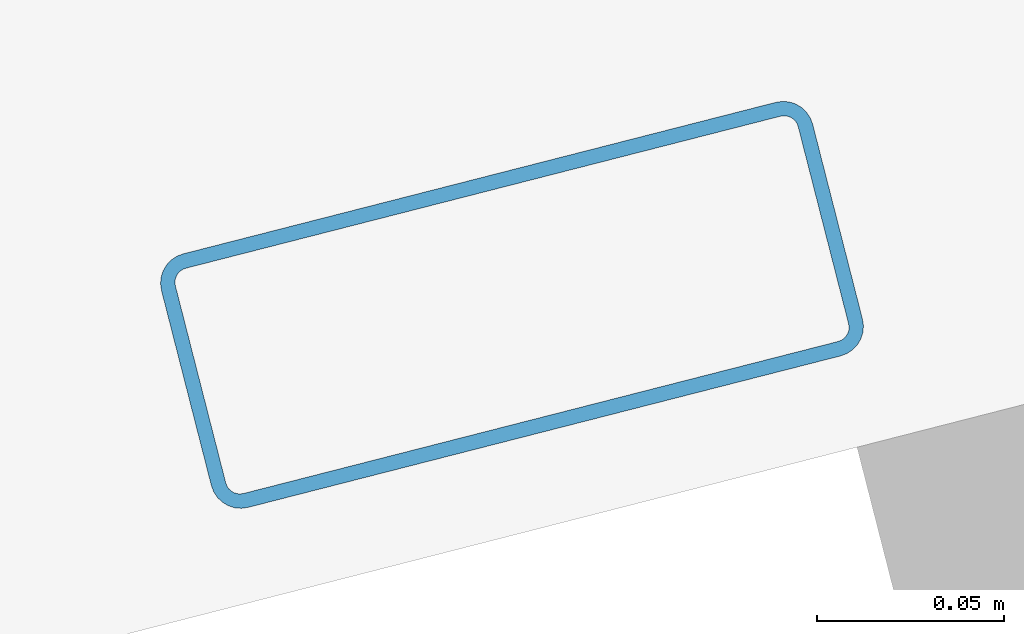
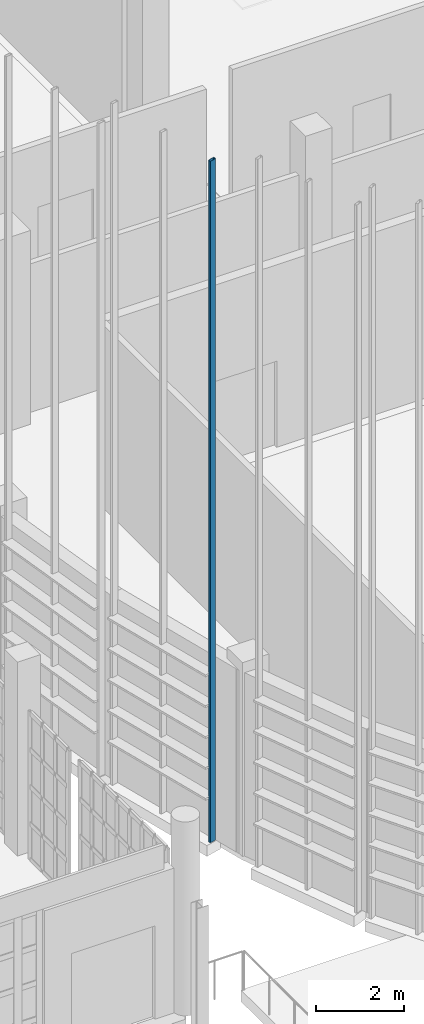
# One storey, part 169 of 372: 1 member.
"""IFC4 building model written with IfcOpenShell, lengths in metres."""

from ifc_helpers import new_model, si_unit, direction, frame, origin, origin_2d, place, context, subcontext, project, spatial, hollow_rectangle, extrude, material, material_profile, profile_set, type_object, element, save


model = new_model("IFC4")

# Units and contexts
model_context = context("Model", 3, precision=1e-05, world=origin(), true_north=direction((0.0, 1.0)))
body_context = subcontext(model_context, "Body", "Model", "MODEL_VIEW")
ifc_project = project(units=[si_unit("LENGTHUNIT", "METRE"), si_unit("AREAUNIT", "SQUARE_METRE"), si_unit("VOLUMEUNIT", "CUBIC_METRE"), si_unit("PLANEANGLEUNIT", "RADIAN"), si_unit("MASSUNIT", "GRAM", prefix="KILO")], contexts=[model_context])

# Site, building, storey
site_placement = place(None, origin())
site = spatial("IfcSite", under=ifc_project, at=site_placement, CompositionType="ELEMENT")
building_placement = place(site_placement, origin())
building = spatial("IfcBuilding", under=site, at=building_placement, Name="Kaelora Sail Theatre", CompositionType="ELEMENT")
storey_placement = place(building_placement, origin())
storey = spatial("IfcBuildingStorey", under=building, at=storey_placement, Name="L00", CompositionType="ELEMENT", Elevation=0.0)

# Member
ifc_material = material(Name="Anodised aluminium 6063-T6", Category="aluminium")
ifc_material_profile = material_profile(ifc_material, hollow_rectangle(XDim=0.070068359375, YDim=0.179931640625, WallThickness=0.00390625, InnerFilletRadius=0.00390625, OuterFilletRadius=0.008056640625, at=origin_2d()), Name="ALU-MULL 70x180x4")
ifc_profile_set = profile_set([ifc_material_profile], Name="Anodised aluminium 6063-T6")
member_type = type_object("IfcMemberType", Name="ARC-MEM-PST-160", PredefinedType="POST", material=ifc_profile_set)
member_placement = place(storey_placement, frame((78.2470703125, 44.150634765625, 0.0), z_axis=(0.0, 0.0, 1.0), x_axis=(-0.247675453076, 0.968843057437, 0.0)))
element("IfcMember", 1, at=member_placement, inside=storey, type_object=member_type, Name="Studio Theatre Sail Drum solar louvre vertical support post C17-1", PredefinedType="POST", context=body_context, shape_type="SweptSolid", body=[
    extrude(hollow_rectangle(XDim=0.070068359375, YDim=0.179931640625, WallThickness=0.00390625, InnerFilletRadius=0.00390625, OuterFilletRadius=0.008056640625, at=origin_2d()), origin(), (0.0, 0.0, 1.0), 18.98193359375),
])

save(model, "model.ifc")
